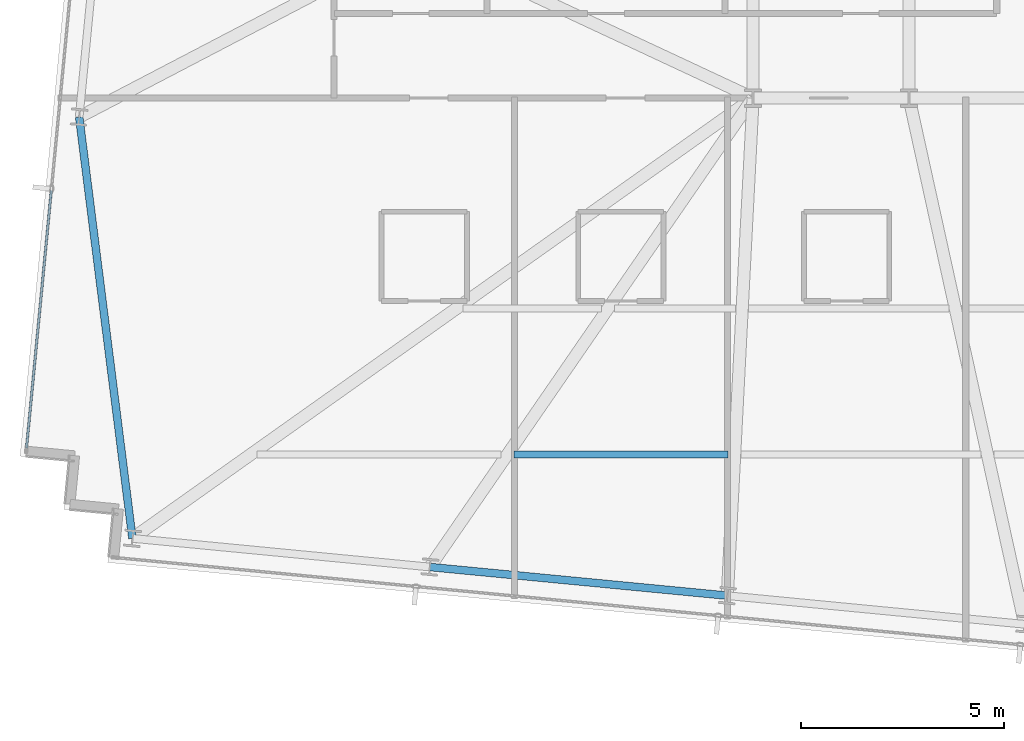
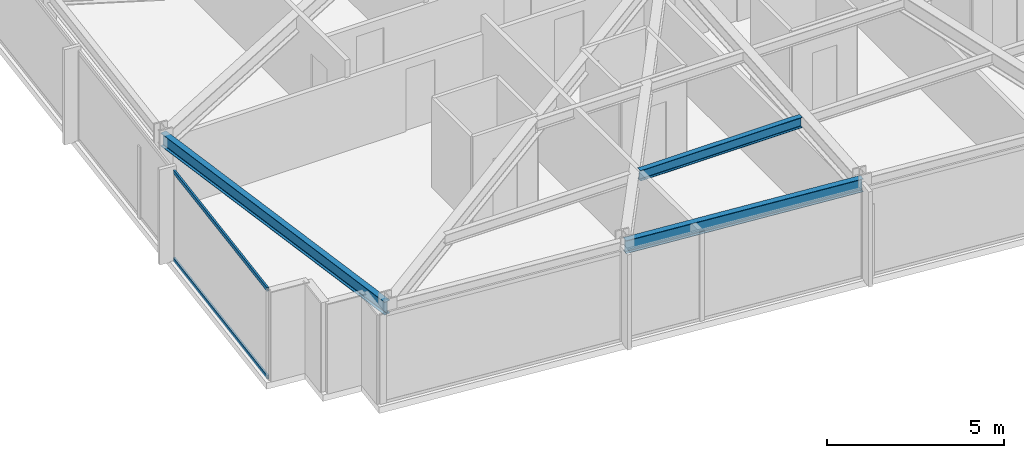
# One storey, part 3 of 37: 3 beams, 2 members, 1 element without a shape of its own.
"""IFC4 building model written with IfcOpenShell, lengths in metres."""

import ifcopenshell
import ifcopenshell.guid

model = None  # the IFC model being written
_history = None  # IfcOwnerHistory: only IFC2X3 demands one
_inside = {}  # id of a spatial element -> (the spatial element, [elements in it])
_under = {}  # id of a project, library or spatial element -> (it, [spatial elements below it])
_declared = {}  # id of a project -> (the project, [libraries it declares])
_typed = {}  # id of a type object -> (the type object, [elements of that type])
_made_of = {}  # id of a material, layer set ... -> (it, [elements and type objects made of it])


def new_model(schema):
    """Start an empty IFC model of exactly this schema.

    Asked for "IFC4X3", IfcOpenShell would pick the latest addendum, in which some entities
    have other attributes; the version numbers below select the first issue.
    IFC2X3 requires an IfcOwnerHistory on every rooted entity: one is made here for all.
    """
    global model, _history
    if schema == "IFC4X3":
        model = ifcopenshell.file(schema_version=(4, 3, 0, 0))
    else:
        model = ifcopenshell.file(schema=schema)
    _inside.clear()
    _under.clear()
    _declared.clear()
    _typed.clear()
    _made_of.clear()
    _history = None
    if model.schema == "IFC2X3":
        org = make("IfcOrganization", Name="unknown")
        user = make(
            "IfcPersonAndOrganization",
            ThePerson=make("IfcPerson", FamilyName="unknown"),
            TheOrganization=org,
        )
        app = make(
            "IfcApplication",
            ApplicationDeveloper=org,
            Version="unknown",
            ApplicationFullName="unknown",
            ApplicationIdentifier="unknown",
        )
        _history = make(
            "IfcOwnerHistory",
            OwningUser=user,
            OwningApplication=app,
            ChangeAction="ADDED",
            CreationDate=0,
        )
    return model


def make(cls, **values):
    """One entity of the class cls with the attributes given. An attribute that is None is left unset."""
    return model.create_entity(
        cls, **{name: value for name, value in values.items() if value is not None}
    )


def rooted(cls, **values):
    """An entity with a GlobalId (a new one), such as an element, a storey or a relation."""
    return make(cls, GlobalId=ifcopenshell.guid.new(), OwnerHistory=_history, **values)


def si_unit(unit_type, name, prefix=None):
    """IfcSIUnit, for example si_unit("LENGTHUNIT", "METRE", prefix="MILLI")."""
    return make("IfcSIUnit", UnitType=unit_type, Prefix=prefix, Name=name)


def assignment(units):
    """IfcUnitAssignment: the units of a project."""
    return None if units is None else make("IfcUnitAssignment", Units=units)


def point(xyz):
    """IfcCartesianPoint."""
    return None if xyz is None else make("IfcCartesianPoint", Coordinates=xyz)


def direction(xyz):
    """IfcDirection."""
    return None if xyz is None else make("IfcDirection", DirectionRatios=xyz)


def frame(location, z_axis=None, x_axis=None):
    """IfcAxis2Placement3D, a coordinate frame: its origin and axes. An axis left out is left unset."""
    return make(
        "IfcAxis2Placement3D",
        Location=point(location),
        Axis=direction(z_axis),
        RefDirection=direction(x_axis),
    )


def frame_2d(location, x_axis=None):
    """IfcAxis2Placement2D, a coordinate frame in the plane: its origin and x axis."""
    return make(
        "IfcAxis2Placement2D", Location=point(location), RefDirection=direction(x_axis)
    )


def origin():
    """The frame at (0, 0, 0) with its axes left unset."""
    return frame((0.0, 0.0, 0.0))


def origin_2d():
    """The frame at (0, 0) in the plane with its x axis left unset."""
    return frame_2d((0.0, 0.0))


def place(relative_to, where):
    """IfcLocalPlacement: puts the frame where relative to a parent placement (None: the world)."""
    return make(
        "IfcLocalPlacement", PlacementRelTo=relative_to, RelativePlacement=where
    )


def context(
    kind, dimensions, precision=None, world=None, true_north=None, identifier=None
):
    """IfcGeometricRepresentationContext, for example the 3D "Model" context."""
    return make(
        "IfcGeometricRepresentationContext",
        ContextIdentifier=identifier,
        ContextType=kind,
        CoordinateSpaceDimension=dimensions,
        Precision=precision,
        WorldCoordinateSystem=world,
        TrueNorth=true_north,
    )


def subcontext(parent, identifier, kind, view, scale=None):
    """IfcGeometricRepresentationSubContext, for example "Body" below "Model"."""
    return make(
        "IfcGeometricRepresentationSubContext",
        ContextIdentifier=identifier,
        ContextType=kind,
        ParentContext=parent,
        TargetScale=scale,
        TargetView=view,
    )


def project(units=None, contexts=None):
    """IfcProject with its units and contexts."""
    return rooted(
        "IfcProject",
        Name="project",
        RepresentationContexts=contexts,
        UnitsInContext=assignment(units),
    )


def spatial(cls, under=None, at=None, **own):
    """A site, building, storey or space (cls), placed at a placement, below another one or the project."""
    s = rooted(cls, ObjectPlacement=at, **own)
    if under is not None:
        _under.setdefault(under.id(), (under, []))[1].append(s)
    return s


def profile(cls, at=None, kind="AREA", **sizes):
    """A parametric profile (cls). Its sizes go by their IFC names, for example OverallWidth=200.0."""
    return make(cls, ProfileType=kind, Position=at, **sizes)


def hollow_rectangle(**sizes):
    """IfcRectangleHollowProfileDef."""
    return profile("IfcRectangleHollowProfileDef", **sizes)


def i_section(**sizes):
    """IfcIShapeProfileDef."""
    return profile("IfcIShapeProfileDef", **sizes)


def extrude(swept, where, along, depth):
    """IfcExtrudedAreaSolid: the profile swept, set in the frame where, extruded along a direction by depth."""
    return make(
        "IfcExtrudedAreaSolid",
        SweptArea=swept,
        Position=where,
        ExtrudedDirection=direction(along),
        Depth=depth,
    )


def shape(context_of_items, identifier, shape_type, items):
    """IfcShapeRepresentation: the items that make up one representation, for example the "Body"."""
    return make(
        "IfcShapeRepresentation",
        ContextOfItems=context_of_items,
        RepresentationIdentifier=identifier,
        RepresentationType=shape_type,
        Items=items,
    )


def material(Name=None, Category=None):
    """IfcMaterial."""
    return make("IfcMaterial", Name=Name, Category=Category)


def material_profile(
    of_material, cross_section, Name=None, Category=None, Priority=None
):
    """IfcMaterialProfile: a cross section and its material."""
    return make(
        "IfcMaterialProfile",
        Name=Name,
        Material=of_material,
        Profile=cross_section,
        Priority=Priority,
        Category=Category,
    )


def profile_set(profiles, Name=None, composite=None):
    """IfcMaterialProfileSet."""
    return make(
        "IfcMaterialProfileSet",
        Name=Name,
        MaterialProfiles=profiles,
        CompositeProfile=composite,
    )


def made_of(thing, what):
    """Note that an element or type object is made of a material, layer set ...; save() writes the relation."""
    if what is not None:
        _made_of.setdefault(what.id(), (what, []))[1].append(thing)
    return thing


def type_object(cls, material=None, **own):
    """A type object (cls), such as IfcWallType, which elements share."""
    return made_of(rooted(cls, **own), material)


def element(
    cls,
    number,
    at=None,
    inside=None,
    cuts=None,
    type_object=None,
    material=None,
    context=None,
    identifier="Body",
    shape_type=None,
    held_by="IfcProductDefinitionShape",
    body=None,
    shapes=None,
    **own,
):
    """One element of the class cls, such as IfcWall. Its Tag is "e" and its number.

    at: its placement. inside: the storey or other place that contains it. cuts: it is an
    opening in that element (IfcRelVoidsElement). A single representation is given by context,
    identifier, shape_type and body (its items); several are given by shapes. held_by: the class
    of the entity that holds the representations. save() writes the other relations.
    """
    e = rooted(cls, Tag="e%d" % number, ObjectPlacement=at, **own)
    if body is not None:
        shapes = [shape(context, identifier, shape_type, body)]
    if shapes is not None:
        e.Representation = make(held_by, Representations=shapes)
    if inside is not None:
        _inside.setdefault(inside.id(), (inside, []))[1].append(e)
    if cuts is not None:
        rooted(
            "IfcRelVoidsElement", RelatingBuildingElement=cuts, RelatedOpeningElement=e
        )
    if type_object is not None:
        _typed.setdefault(type_object.id(), (type_object, []))[1].append(e)
    return made_of(e, material)


def aggregate(whole, parts):
    """IfcRelAggregates: a whole, such as a stair, and the parts it consists of."""
    return rooted("IfcRelAggregates", RelatingObject=whole, RelatedObjects=parts)


def save(model, path):
    """Write the relations noted so far, then the file.

    IfcRelAggregates (storeys below a building ...), IfcRelContainedInSpatialStructure (elements
    in a storey), IfcRelDefinesByType, IfcRelAssociatesMaterial and IfcRelDeclares: one each for
    every whole, place, type object, material and project.
    """
    for whole, parts in _under.values():
        aggregate(whole, parts)
    for where, things in _inside.values():
        rooted(
            "IfcRelContainedInSpatialStructure",
            RelatedElements=things,
            RelatingStructure=where,
        )
    for kind, things in _typed.values():
        rooted("IfcRelDefinesByType", RelatedObjects=things, RelatingType=kind)
    for what, things in _made_of.values():
        rooted("IfcRelAssociatesMaterial", RelatedObjects=things, RelatingMaterial=what)
    for by, libraries in _declared.values():
        rooted("IfcRelDeclares", RelatingContext=by, RelatedDefinitions=libraries)
    model.write(path)


model = new_model("IFC4")

# Units and contexts
model_context = context("Model", 3, precision=1e-05, world=origin(), true_north=direction((0.0, 1.0)))
body_context = subcontext(model_context, "Body", "Model", "MODEL_VIEW")
ifc_project = project(units=[si_unit("LENGTHUNIT", "METRE"), si_unit("AREAUNIT", "SQUARE_METRE"), si_unit("VOLUMEUNIT", "CUBIC_METRE"), si_unit("PLANEANGLEUNIT", "RADIAN"), si_unit("MASSUNIT", "GRAM", prefix="KILO")], contexts=[model_context])

# Site, building, storey
site_placement = place(None, origin())
site = spatial("IfcSite", under=ifc_project, at=site_placement, CompositionType="ELEMENT")
building_placement = place(site_placement, origin())
building = spatial("IfcBuilding", under=site, at=building_placement, Name="Yelkora Congress Tower", CompositionType="ELEMENT")
storey_placement = place(building_placement, frame((0.0, 0.0, 158.89990234375)))
storey = spatial("IfcBuildingStorey", under=building, at=storey_placement, Name="L43", CompositionType="ELEMENT", Elevation=158.89990234375)

# Beams
ifc_material_1 = material(Name="Steel S355J2", Category="steel")
ifc_material_profile_1 = material_profile(ifc_material_1, i_section(OverallWidth=0.169921875, OverallDepth=0.360107421875, WebThickness=0.008056640625, FlangeThickness=0.0126953125, FilletRadius=0.01806640625, at=origin_2d()), Name="IPE 360")
ifc_profile_set_1 = profile_set([ifc_material_profile_1], Name="Steel S355J2")
beam_type_1 = type_object("IfcBeamType", Name="BM-JOIST-IPE360", PredefinedType="JOIST", material=ifc_profile_set_1)
beam_1_placement = place(storey_placement, frame((13.310546875, 16.421142578125, 2.900146484375), z_axis=(1.0, 0.0, 0.0), x_axis=(0.0, 1.0, 0.0)))
element("IfcBeam", 1, at=beam_1_placement, inside=storey, type_object=beam_type_1, Name="L43 Composite Floor Joist 6", PredefinedType="JOIST", context=body_context, shape_type="SweptSolid", body=[
    extrude(i_section(OverallWidth=0.169921875, OverallDepth=0.360107421875, WebThickness=0.008056640625, FlangeThickness=0.0126953125, FilletRadius=0.01806640625, at=origin_2d()), origin(), (0.0, 0.0, 1.0), 5.275146484375),
])
ifc_material_profile_2 = material_profile(ifc_material_1, i_section(OverallWidth=0.18994140625, OverallDepth=0.449951171875, WebThickness=0.009521484375, FlangeThickness=0.0146484375, FilletRadius=0.02099609375, at=origin_2d()), Name="IPE 450")
ifc_profile_set_2 = profile_set([ifc_material_profile_2], Name="Steel S355J2")
beam_type_2 = type_object("IfcBeamType", Name="BM-SPAN-IPE450", PredefinedType="SPANDREL", material=ifc_profile_set_2)
beam_2_placement = place(storey_placement, frame((2.607421875, 24.730712890625, 2.85498046875), z_axis=(0.125457133578, -0.992099041243, 0.0), x_axis=(0.992099041243, 0.125457133578, 0.0)))
element("IfcBeam", 2, at=beam_2_placement, inside=storey, type_object=beam_type_2, Name="L43 Perimeter Beam 1", PredefinedType="SPANDREL", context=body_context, shape_type="SweptSolid", body=[
    extrude(i_section(OverallWidth=0.18994140625, OverallDepth=0.449951171875, WebThickness=0.009521484375, FlangeThickness=0.0146484375, FilletRadius=0.02099609375, at=origin_2d()), origin(), (0.0, 0.0, 1.0), 10.455810546875),
])
beam_3_placement = place(storey_placement, frame((11.242431640625, 13.652099609375, 2.85498046875), z_axis=(0.995397409467, -0.095833173935, 0.0), x_axis=(0.095833173935, 0.995397409467, 0.0)))
element("IfcBeam", 3, at=beam_3_placement, inside=storey, type_object=beam_type_2, Name="L43 Perimeter Beam 3", PredefinedType="SPANDREL", context=body_context, shape_type="SweptSolid", body=[
    extrude(i_section(OverallWidth=0.18994140625, OverallDepth=0.449951171875, WebThickness=0.009521484375, FlangeThickness=0.0146484375, FilletRadius=0.02099609375, at=origin_2d()), origin(), (0.0, 0.0, 1.0), 7.357421875),
])

# Curtain wall, members
ifc_material_2 = material(Name="Anodised aluminium and insulated glass", Category="aluminium")
curtain_wall_type = type_object("IfcCurtainWallType", Name="CW-SYS-B3", PredefinedType="NOTDEFINED", material=ifc_material_2)
curtain_wall_placement = place(storey_placement, origin())
curtain_wall = element("IfcCurtainWall", 4, at=curtain_wall_placement, inside=storey, type_object=curtain_wall_type, Name="L43 Unitised Curtain Wall 5", PredefinedType="NOTDEFINED")
ifc_material_3 = material(Name="Anodised aluminium 6063-T6", Category="aluminium")
ifc_material_profile_3 = material_profile(ifc_material_3, hollow_rectangle(XDim=0.06005859375, YDim=0.1298828125, WallThickness=0.00390625, at=origin_2d()), Name="ALU 60x130x4")
ifc_profile_set_3 = profile_set([ifc_material_profile_3], Name="Anodised aluminium 6063-T6")
member_type = type_object("IfcMemberType", Name="MEM-TR-B3", PredefinedType="USERDEFINED", material=ifc_profile_set_3)
member_1_placement = place(storey_placement, frame((1.31005859375, 16.57763671875, 0.030029296875), z_axis=(0.095834923543, 0.99539724102, 0.0), x_axis=(-0.99539724102, 0.095834923543, 0.0)))
member_1 = element("IfcMember", 5, at=member_1_placement, type_object=member_type, Name="CW-B3 transom 1.1", ObjectType="TRANSOM", PredefinedType="USERDEFINED", context=body_context, shape_type="SweptSolid", body=[
    extrude(hollow_rectangle(XDim=0.06005859375, YDim=0.1298828125, WallThickness=0.00390625, at=origin_2d()), origin(), (0.0, 0.0, 1.0), 6.37890625),
])
member_2_placement = place(storey_placement, frame((1.31005859375, 16.57763671875, 3.050048828125), z_axis=(0.095834923543, 0.99539724102, 0.0), x_axis=(-0.99539724102, 0.095834923543, 0.0)))
member_2 = element("IfcMember", 6, at=member_2_placement, type_object=member_type, Name="CW-B3 transom 1.2", ObjectType="TRANSOM", PredefinedType="USERDEFINED", context=body_context, shape_type="SweptSolid", body=[
    extrude(hollow_rectangle(XDim=0.06005859375, YDim=0.1298828125, WallThickness=0.00390625, at=origin_2d()), origin(), (0.0, 0.0, 1.0), 6.37890625),
])
aggregate(curtain_wall, [member_1, member_2])

save(model, "model.ifc")
